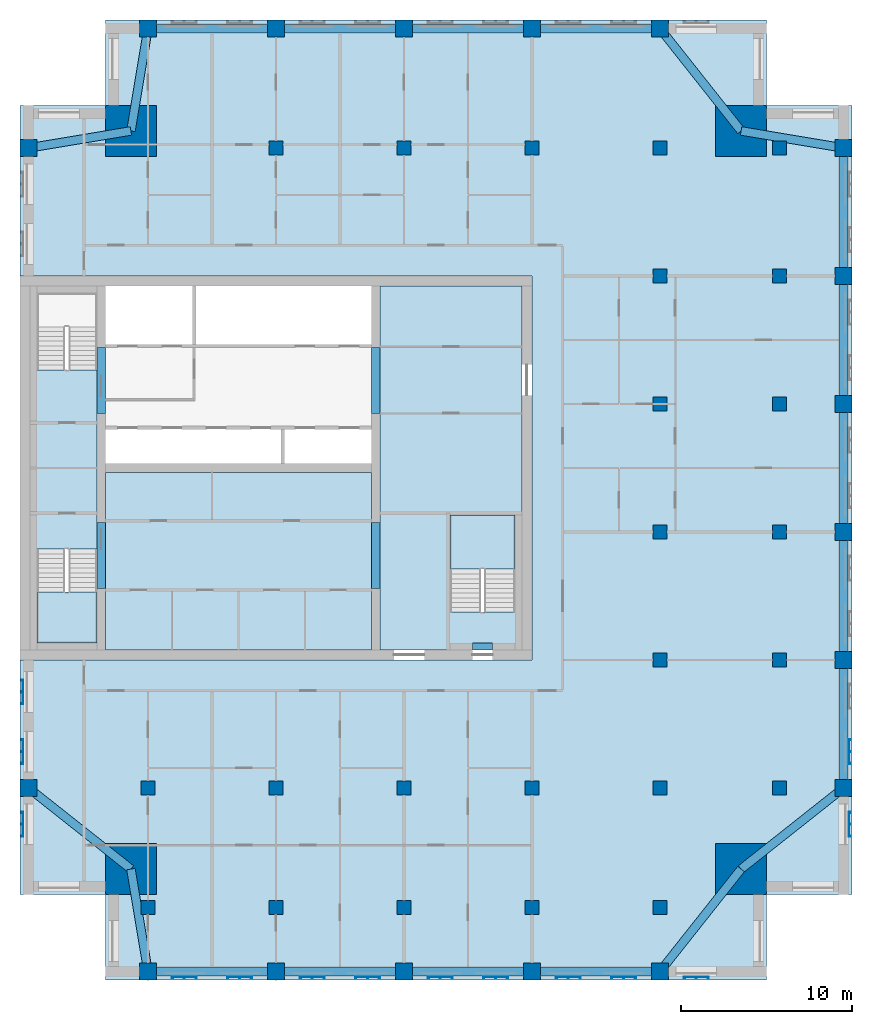
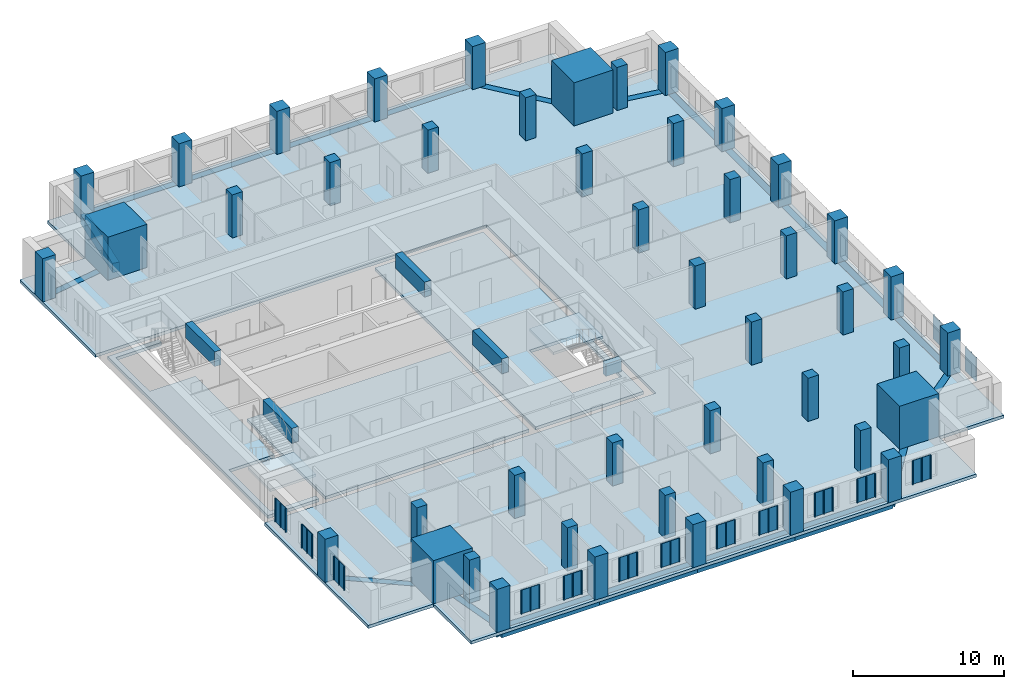
# One storey, part 1 of 11: 46 columns, 26 beams, 14 plates, 6 slabs, 2 elements without a shape of their own.
"""IFC4 building model written with IfcOpenShell, lengths in metres."""

from ifc_helpers import new_model, si_unit, direction, frame, origin, origin_2d, place, context, subcontext, project, spatial, polyline, rectangle, outline, extrude, material, layer, layer_set, material_profile, profile_set, type_object, element, aggregate, save


model = new_model("IFC4")

# Units and contexts
model_context = context("Model", 3, precision=1e-05, world=origin(), true_north=direction((0.0, 1.0)))
body_context = subcontext(model_context, "Body", "Model", "MODEL_VIEW")
ifc_project = project(units=[si_unit("LENGTHUNIT", "METRE"), si_unit("AREAUNIT", "SQUARE_METRE"), si_unit("VOLUMEUNIT", "CUBIC_METRE"), si_unit("PLANEANGLEUNIT", "RADIAN"), si_unit("MASSUNIT", "GRAM", prefix="KILO")], contexts=[model_context])

# Site, building, storey
site_placement = place(None, origin())
site = spatial("IfcSite", under=ifc_project, at=site_placement, CompositionType="ELEMENT")
building_placement = place(site_placement, origin())
building = spatial("IfcBuilding", under=site, at=building_placement, Name="Tamorin Gate", CompositionType="ELEMENT")
storey_placement = place(building_placement, frame((0.0, 0.0, 230.199951171875)))
storey = spatial("IfcBuildingStorey", under=building, at=storey_placement, Name="L57", CompositionType="ELEMENT", Elevation=230.199951171875)

# Columns
ifc_material_1 = material(Name="Concrete C50/60", Category="concrete")
ifc_material_profile_1 = material_profile(ifc_material_1, rectangle(XDim=1.0, YDim=1.0, at=origin_2d()), Name="RC 1000x1000")
ifc_profile_set_1 = profile_set([ifc_material_profile_1], Name="Concrete C50/60")
column_type_1 = type_object("IfcColumnType", Name="RC column 1000x1000 C50/60", PredefinedType="COLUMN", material=ifc_profile_set_1)
for number, where, z_axis, x_axis, name in (
    (1, (37.5, 41.75, 0.0), (0.0, 0.0, 1.0), (1.0, 0.0, 0.0), "Ring column L57"),
    (2, (45.0, 41.75, 0.0), (0.0, 0.0, 1.0), (1.0, 0.0, 0.0), "Ring column L57"),
    (3, (52.5, 41.75, 0.0), (0.0, 0.0, 1.0), (1.0, 0.0, 0.0), "Ring column L57"),
    (4, (60.0, 41.75, 0.0), (0.0, 0.0, 1.0), (1.0, 0.0, 0.0), "Ring column L57"),
    (5, (67.5, 41.75, 0.0), (0.0, 0.0, 1.0), (1.0, 0.0, 0.0), "Ring column L57"),
    (6, (78.25, 52.5, 0.0), (0.0, 0.0, 1.0), (1.0, 0.0, 0.0), "Ring column L57"),
    (7, (78.25, 60.0, 0.0), (0.0, 0.0, 1.0), (1.0, 0.0, 0.0), "Ring column L57"),
    (8, (78.25, 67.5, 0.0), (0.0, 0.0, 1.0), (1.0, 0.0, 0.0), "Ring column L57"),
    (9, (78.25, 75.0, 0.0), (0.0, 0.0, 1.0), (1.0, 0.0, 0.0), "Ring column L57"),
    (10, (78.25, 82.5, 0.0), (0.0, 0.0, 1.0), (1.0, 0.0, 0.0), "Ring column L57"),
    (11, (78.25, 90.0, 0.0), (0.0, 0.0, 1.0), (1.0, 0.0, 0.0), "Ring column L57"),
    (12, (30.5, 52.5, 0.0), (0.0, 0.0, 1.0), (1.0, 0.0, 0.0), "Ring column L57"),
    (13, (30.5, 90.0, 0.0), (0.0, 0.0, 1.0), (1.0, 0.0, 0.0), "Ring column L57"),
    (14, (37.5, 97.0, 0.0), (0.0, 0.0, 1.0), (1.0, 0.0, 0.0), "Ring column L57"),
    (15, (45.0, 97.0, 0.0), (0.0, 0.0, 1.0), (1.0, 0.0, 0.0), "Ring column L57"),
    (16, (52.5, 97.0, 0.0), (0.0, 0.0, 1.0), (1.0, 0.0, 0.0), "Ring column L57"),
    (17, (60.0, 97.0, 0.0), (0.0, 0.0, 1.0), (1.0, 0.0, 0.0), "Ring column L57"),
    (18, (67.5, 97.0, 0.0), (0.0, 0.0, 1.0), (1.0, 0.0, 0.0), "Ring column L57"),
):
    element("IfcColumn", number, at=place(storey_placement, frame(where, z_axis=z_axis, x_axis=x_axis)), inside=storey, type_object=column_type_1, Name=name, PredefinedType="COLUMN", context=body_context, shape_type="SweptSolid", body=[
        extrude(rectangle(XDim=1.0, YDim=1.0, at=origin_2d()), origin(), (0.0, 0.0, 1.0), 3.5),
    ])
ifc_material_profile_2 = material_profile(ifc_material_1, rectangle(XDim=3.0, YDim=3.0, at=origin_2d()), Name="RC 3000x3000")
ifc_profile_set_2 = profile_set([ifc_material_profile_2], Name="Concrete C50/60")
column_type_2 = type_object("IfcColumnType", Name="RC column 3000x3000 C50/60", PredefinedType="COLUMN", material=ifc_profile_set_2)
for number, where, z_axis, x_axis, name in (
    (19, (36.5, 47.75, 0.0), (0.0, 0.0, 1.0), (1.0, 0.0, 0.0), "Mega column SW L57"),
    (20, (72.25, 47.75, 0.0), (0.0, 0.0, 1.0), (1.0, 0.0, 0.0), "Mega column SE L57"),
    (21, (36.5, 91.0, 0.0), (0.0, 0.0, 1.0), (1.0, 0.0, 0.0), "Mega column NW L57"),
    (22, (72.25, 91.0, 0.0), (0.0, 0.0, 1.0), (1.0, 0.0, 0.0), "Mega column NE L57"),
):
    element("IfcColumn", number, at=place(storey_placement, frame(where, z_axis=z_axis, x_axis=x_axis)), inside=storey, type_object=column_type_2, Name=name, PredefinedType="COLUMN", context=body_context, shape_type="SweptSolid", body=[
        extrude(rectangle(XDim=3.0, YDim=3.0, at=origin_2d()), origin(), (0.0, 0.0, 1.0), 3.5),
    ])
ifc_material_profile_3 = material_profile(ifc_material_1, rectangle(XDim=0.800048828125, YDim=0.800048828125, at=origin_2d()), Name="RC 800x800")
ifc_profile_set_3 = profile_set([ifc_material_profile_3], Name="Concrete C50/60")
column_type_3 = type_object("IfcColumnType", Name="RC column 800x800 C50/60", PredefinedType="COLUMN", material=ifc_profile_set_3)
for number, where, z_axis, x_axis, name in (
    (23, (37.5, 45.5, 0.0), (0.0, 0.0, 1.0), (1.0, 0.0, 0.0), "Interior column L57"),
    (24, (37.5, 52.5, 0.0), (0.0, 0.0, 1.0), (1.0, 0.0, 0.0), "Interior column L57"),
    (25, (45.0, 45.5, 0.0), (0.0, 0.0, 1.0), (1.0, 0.0, 0.0), "Interior column L57"),
    (26, (45.0, 52.5, 0.0), (0.0, 0.0, 1.0), (1.0, 0.0, 0.0), "Interior column L57"),
    (27, (45.0, 90.0, 0.0), (0.0, 0.0, 1.0), (1.0, 0.0, 0.0), "Interior column L57"),
    (28, (52.5, 45.5, 0.0), (0.0, 0.0, 1.0), (1.0, 0.0, 0.0), "Interior column L57"),
    (29, (52.5, 52.5, 0.0), (0.0, 0.0, 1.0), (1.0, 0.0, 0.0), "Interior column L57"),
    (30, (52.5, 90.0, 0.0), (0.0, 0.0, 1.0), (1.0, 0.0, 0.0), "Interior column L57"),
    (31, (60.0, 45.5, 0.0), (0.0, 0.0, 1.0), (1.0, 0.0, 0.0), "Interior column L57"),
    (32, (60.0, 52.5, 0.0), (0.0, 0.0, 1.0), (1.0, 0.0, 0.0), "Interior column L57"),
    (33, (60.0, 90.0, 0.0), (0.0, 0.0, 1.0), (1.0, 0.0, 0.0), "Interior column L57"),
    (34, (67.5, 45.5, 0.0), (0.0, 0.0, 1.0), (1.0, 0.0, 0.0), "Interior column L57"),
    (35, (67.5, 52.5, 0.0), (0.0, 0.0, 1.0), (1.0, 0.0, 0.0), "Interior column L57"),
    (36, (67.5, 60.0, 0.0), (0.0, 0.0, 1.0), (1.0, 0.0, 0.0), "Interior column L57"),
    (37, (67.5, 67.5, 0.0), (0.0, 0.0, 1.0), (1.0, 0.0, 0.0), "Interior column L57"),
    (38, (67.5, 75.0, 0.0), (0.0, 0.0, 1.0), (1.0, 0.0, 0.0), "Interior column L57"),
    (39, (67.5, 82.5, 0.0), (0.0, 0.0, 1.0), (1.0, 0.0, 0.0), "Interior column L57"),
    (40, (67.5, 90.0, 0.0), (0.0, 0.0, 1.0), (1.0, 0.0, 0.0), "Interior column L57"),
    (41, (74.5, 52.5, 0.0), (0.0, 0.0, 1.0), (1.0, 0.0, 0.0), "Interior column L57"),
    (42, (74.5, 60.0, 0.0), (0.0, 0.0, 1.0), (1.0, 0.0, 0.0), "Interior column L57"),
    (43, (74.5, 67.5, 0.0), (0.0, 0.0, 1.0), (1.0, 0.0, 0.0), "Interior column L57"),
    (44, (74.5, 75.0, 0.0), (0.0, 0.0, 1.0), (1.0, 0.0, 0.0), "Interior column L57"),
    (45, (74.5, 82.5, 0.0), (0.0, 0.0, 1.0), (1.0, 0.0, 0.0), "Interior column L57"),
    (46, (74.5, 90.0, 0.0), (0.0, 0.0, 1.0), (1.0, 0.0, 0.0), "Interior column L57"),
):
    element("IfcColumn", number, at=place(storey_placement, frame(where, z_axis=z_axis, x_axis=x_axis)), inside=storey, type_object=column_type_3, Name=name, PredefinedType="COLUMN", context=body_context, shape_type="SweptSolid", body=[
        extrude(rectangle(XDim=0.800048828125, YDim=0.800048828125, at=origin_2d()), origin(), (0.0, 0.0, 1.0), 3.5),
    ])

# Beams
ifc_material_profile_4 = material_profile(ifc_material_1, rectangle(XDim=0.5, YDim=1.199951171875, at=origin_2d()), Name="RC 500x1200")
ifc_profile_set_4 = profile_set([ifc_material_profile_4], Name="Concrete C50/60")
beam_type_1 = type_object("IfcBeamType", Name="RC coupling beam 500x1200 C50/60", PredefinedType="BEAM", material=ifc_profile_set_4)
for number, where, z_axis, x_axis, name in (
    (47, (34.75, 64.199951171875, 2.900146484375), (0.0, 1.0, 0.0), (-1.0, 0.0, 0.0), "Coupling beam L57"),
    (48, (34.75, 74.449951171875, 2.900146484375), (0.0, 1.0, 0.0), (-1.0, 0.0, 0.0), "Coupling beam L57"),
    (49, (50.85009765625, 64.199951171875, 2.900146484375), (0.0, 1.0, 0.0), (-1.0, 0.0, 0.0), "Coupling beam L57"),
    (50, (50.85009765625, 74.449951171875, 2.900146484375), (0.0, 1.0, 0.0), (-1.0, 0.0, 0.0), "Coupling beam L57"),
):
    element("IfcBeam", number, at=place(storey_placement, frame(where, z_axis=z_axis, x_axis=x_axis)), inside=storey, type_object=beam_type_1, Name=name, PredefinedType="BEAM", context=body_context, shape_type="SweptSolid", body=[
        extrude(rectangle(XDim=0.5, YDim=1.199951171875, at=origin_2d()), origin(), (0.0, 0.0, 1.0), 3.85009765625),
    ])
ifc_material_profile_5 = material_profile(ifc_material_1, rectangle(XDim=0.5, YDim=0.75, at=origin_2d()), Name="RC 500x750")
ifc_profile_set_5 = profile_set([ifc_material_profile_5], Name="Concrete C50/60")
beam_type_2 = type_object("IfcBeamType", Name="RC spandrel 500x750 C50/60", PredefinedType="BEAM", material=ifc_profile_set_5)
for number, where, z_axis, x_axis, name in (
    (51, (37.5, 41.75, -0.375), (1.0, 0.0, 0.0), (0.0, 1.0, 0.0), "Spandrel beam L57"),
    (52, (45.0, 41.75, -0.375), (1.0, 0.0, 0.0), (0.0, 1.0, 0.0), "Spandrel beam L57"),
    (53, (52.5, 41.75, -0.375), (1.0, 0.0, 0.0), (0.0, 1.0, 0.0), "Spandrel beam L57"),
    (54, (60.0, 41.75, -0.375), (1.0, 0.0, 0.0), (0.0, 1.0, 0.0), "Spandrel beam L57"),
    (55, (78.25, 52.5, -0.375), (0.0, 1.0, 0.0), (-1.0, 0.0, 0.0), "Spandrel beam L57"),
    (56, (78.25, 60.0, -0.375), (0.0, 1.0, 0.0), (-1.0, 0.0, 0.0), "Spandrel beam L57"),
    (57, (78.25, 67.5, -0.375), (0.0, 1.0, 0.0), (-1.0, 0.0, 0.0), "Spandrel beam L57"),
    (58, (78.25, 75.0, -0.375), (0.0, 1.0, 0.0), (-1.0, 0.0, 0.0), "Spandrel beam L57"),
    (59, (78.25, 82.5, -0.375), (0.0, 1.0, 0.0), (-1.0, 0.0, 0.0), "Spandrel beam L57"),
    (60, (67.5, 97.0, -0.375), (-1.0, 0.0, 0.0), (0.0, -1.0, 0.0), "Spandrel beam L57"),
    (61, (60.0, 97.0, -0.375), (-1.0, 0.0, 0.0), (0.0, -1.0, 0.0), "Spandrel beam L57"),
    (62, (52.5, 97.0, -0.375), (-1.0, 0.0, 0.0), (0.0, -1.0, 0.0), "Spandrel beam L57"),
    (63, (45.0, 97.0, -0.375), (-1.0, 0.0, 0.0), (0.0, -1.0, 0.0), "Spandrel beam L57"),
):
    element("IfcBeam", number, at=place(storey_placement, frame(where, z_axis=z_axis, x_axis=x_axis)), inside=storey, type_object=beam_type_2, Name=name, PredefinedType="BEAM", context=body_context, shape_type="SweptSolid", body=[
        extrude(rectangle(XDim=0.5, YDim=0.75, at=origin_2d()), origin(), (0.0, 0.0, 1.0), 7.5),
    ])
beam_1_placement = place(storey_placement, frame((36.5, 47.75, -0.375), z_axis=(0.164398987305, -0.986393923832, 0.0), x_axis=(0.986393923832, 0.164398987305, 0.0)))
element("IfcBeam", 64, at=beam_1_placement, inside=storey, type_object=beam_type_2, Name="Corner tie beam L57", PredefinedType="BEAM", context=body_context, shape_type="SweptSolid", body=[
    extrude(rectangle(XDim=0.5, YDim=0.75, at=origin_2d()), origin(), (0.0, 0.0, 1.0), 6.082763671875),
])
for number, where, z_axis, x_axis, name in (
    (65, (36.5, 47.75, -0.375), (-0.784045824462, 0.620702944366, 0.0), (-0.620702944366, -0.784045824462, 0.0), "Corner tie beam L57"),
    (66, (72.25, 47.75, -0.375), (-0.620702944366, -0.784045824462, 0.0), (0.784045824462, -0.620702944366, 0.0), "Corner tie beam L57"),
    (67, (72.25, 47.75, -0.375), (0.784045824462, 0.620702944366, 0.0), (-0.620702944366, 0.784045824462, 0.0), "Corner tie beam L57"),
):
    element("IfcBeam", number, at=place(storey_placement, frame(where, z_axis=z_axis, x_axis=x_axis)), inside=storey, type_object=beam_type_2, Name=name, PredefinedType="BEAM", context=body_context, shape_type="SweptSolid", body=[
        extrude(rectangle(XDim=0.5, YDim=0.75, at=origin_2d()), origin(), (0.0, 0.0, 1.0), 7.652587890625),
    ])
for number, where, z_axis, x_axis, name in (
    (68, (36.5, 91.0, -0.375), (-0.986393923832, -0.164398987305, 0.0), (0.164398987305, -0.986393923832, 0.0), "Corner tie beam L57"),
    (69, (36.5, 91.0, -0.375), (0.164398987305, 0.986393923832, 0.0), (-0.986393923832, 0.164398987305, 0.0), "Corner tie beam L57"),
    (70, (72.25, 91.0, -0.375), (0.986393923832, -0.164398987305, 0.0), (0.164398987305, 0.986393923832, 0.0), "Corner tie beam L57"),
):
    element("IfcBeam", number, at=place(storey_placement, frame(where, z_axis=z_axis, x_axis=x_axis)), inside=storey, type_object=beam_type_2, Name=name, PredefinedType="BEAM", context=body_context, shape_type="SweptSolid", body=[
        extrude(rectangle(XDim=0.5, YDim=0.75, at=origin_2d()), origin(), (0.0, 0.0, 1.0), 6.082763671875),
    ])
beam_2_placement = place(storey_placement, frame((72.25, 91.0, -0.375), z_axis=(-0.620702944366, 0.784045824462, 0.0), x_axis=(-0.784045824462, -0.620702944366, 0.0)))
element("IfcBeam", 71, at=beam_2_placement, inside=storey, type_object=beam_type_2, Name="Corner tie beam L57", PredefinedType="BEAM", context=body_context, shape_type="SweptSolid", body=[
    extrude(rectangle(XDim=0.5, YDim=0.75, at=origin_2d()), origin(), (0.0, 0.0, 1.0), 7.652587890625),
])
ifc_material_profile_6 = material_profile(ifc_material_1, rectangle(XDim=0.39990234375, YDim=1.0, at=origin_2d()))
ifc_profile_set_6 = profile_set([ifc_material_profile_6], Name="Concrete C50/60")
beam_type_3 = type_object("IfcBeamType", Name="Stair lintel 400x1000 C50/60", PredefinedType="BEAM", material=ifc_profile_set_6)
beam_3_placement = place(storey_placement, frame((56.5, 60.800048828125, 2.699951171875), z_axis=(1.0, 0.0, 0.0), x_axis=(0.0, 1.0, 0.0)))
element("IfcBeam", 72, at=beam_3_placement, inside=storey, type_object=beam_type_3, Name="Stair lintel", PredefinedType="BEAM", context=body_context, shape_type="SweptSolid", body=[
    extrude(rectangle(XDim=0.39990234375, YDim=1.0, at=origin_2d()), origin(), (0.0, 0.0, 1.0), 1.199951171875),
])

# Slabs
ifc_material_2 = material(Name="Concrete C40/50", Category="concrete")
ifc_layer_1 = layer(ifc_material_2, 0.25)
ifc_layer_set_1 = layer_set([ifc_layer_1], Name="Core floor slab 250 C40/50")
slab_type_1 = type_object("IfcSlabType", Name="Core floor slab 250 C40/50", PredefinedType="FLOOR", material=ifc_layer_set_1)
slab_1_placement = place(storey_placement, frame((0.0, 0.0, -0.25)))
element("IfcSlab", 73, at=slab_1_placement, inside=storey, type_object=slab_type_1, Name="Core floor L57", PredefinedType="FLOOR", context=body_context, shape_type="SweptSolid", body=[
    extrude(outline(polyline([(51.10009765625, 81.89990234375), (59.39990234375, 81.89990234375), (59.39990234375, 60.60009765625), (51.10009765625, 60.60009765625), (51.10009765625, 81.89990234375)]), holes=[polyline([(55.199951171875, 62.800048828125), (59.0, 62.800048828125), (59.0, 68.5), (55.199951171875, 68.5), (55.199951171875, 62.800048828125)])]), origin(), (0.0, 0.0, 1.0), 0.25),
])
slab_2_placement = place(storey_placement, frame((0.0, 0.0, -0.25)))
element("IfcSlab", 74, at=slab_2_placement, inside=storey, type_object=slab_type_1, Name="Core floor L57", PredefinedType="FLOOR", context=body_context, shape_type="SweptSolid", body=[
    extrude(outline(polyline([(50.60009765625, 71.0), (50.60009765625, 60.60009765625), (35.0, 60.60009765625), (35.0, 71.0), (50.60009765625, 71.0)])), origin(), (0.0, 0.0, 1.0), 0.25),
])
slab_3_placement = place(storey_placement, frame((0.0, 0.0, -0.25)))
element("IfcSlab", 75, at=slab_3_placement, inside=storey, type_object=slab_type_1, Name="Core floor L57", PredefinedType="FLOOR", context=body_context, shape_type="SweptSolid", body=[
    extrude(outline(polyline([(34.5, 60.60009765625), (30.60009765625, 60.60009765625), (30.60009765625, 81.89990234375), (34.5, 81.89990234375), (34.5, 81.5), (31.0, 81.5), (31.0, 77.0), (34.5, 77.0), (34.5, 66.5), (31.0, 66.5), (31.0, 61.0), (34.5, 61.0), (34.5, 60.60009765625)])), origin(), (0.0, 0.0, 1.0), 0.25),
])

# Stair, slab
stair_type = type_object("IfcStairType", Name="Exit stair", PredefinedType="HALF_TURN_STAIR", material=ifc_material_2)
stair_1_placement = place(storey_placement, origin())
stair_1 = element("IfcStair", 76, at=stair_1_placement, inside=storey, type_object=stair_type, Name="L57 stair ST1", PredefinedType="HALF_TURN_STAIR")
ifc_layer_2 = layer(ifc_material_2, 0.199951171875)
ifc_layer_set_2 = layer_set([ifc_layer_2], Name="Exit stair landing 200")
slab_type_2 = type_object("IfcSlabType", Name="Exit stair landing 200", PredefinedType="LANDING", material=ifc_layer_set_2)
slab_4_placement = place(storey_placement, frame((0.0, 0.0, 1.550048828125)))
slab_4 = element("IfcSlab", 77, at=slab_4_placement, type_object=slab_type_2, Name="ST1 landing 1", PredefinedType="LANDING", context=body_context, shape_type="SweptSolid", body=[
    extrude(outline(polyline([(31.0, 63.97998046875), (31.0, 61.0), (34.5, 61.0), (34.5, 63.97998046875), (31.0, 63.97998046875)])), origin(), (0.0, 0.0, 1.0), 0.199951171875),
])
aggregate(stair_1, [slab_4])

stair_2_placement = place(storey_placement, origin())
stair_2 = element("IfcStair", 78, at=stair_2_placement, inside=storey, type_object=stair_type, Name="L57 stair ST3", PredefinedType="HALF_TURN_STAIR")
slab_5_placement = place(storey_placement, frame((0.0, 0.0, 1.550048828125)))
slab_5 = element("IfcSlab", 79, at=slab_5_placement, type_object=slab_type_2, Name="ST3 landing 1", PredefinedType="LANDING", context=body_context, shape_type="SweptSolid", body=[
    extrude(outline(polyline([(59.0, 65.320068359375), (59.0, 68.5), (55.199951171875, 68.5), (55.199951171875, 65.320068359375), (59.0, 65.320068359375)])), origin(), (0.0, 0.0, 1.0), 0.199951171875),
])
aggregate(stair_2, [slab_5])

# Slab
ifc_layer_3 = layer(ifc_material_2, 0.25)
ifc_layer_set_3 = layer_set([ifc_layer_3], Name="Floor slab 250 C40/50")
slab_type_3 = type_object("IfcSlabType", Name="Floor slab 250 C40/50", PredefinedType="FLOOR", material=ifc_layer_set_3)
slab_6_placement = place(storey_placement, frame((0.0, 0.0, -0.25)))
element("IfcSlab", 80, at=slab_6_placement, inside=storey, type_object=slab_type_3, Name="Floor L57", PredefinedType="FLOOR", context=body_context, shape_type="SweptSolid", body=[
    extrude(outline(polyline([(30.0, 92.5), (35.0, 92.5), (35.0, 97.5), (73.75, 97.5), (73.75, 92.5), (78.75, 92.5), (78.75, 46.25), (73.75, 46.25), (73.75, 41.25), (35.0, 41.25), (35.0, 46.25), (30.0, 46.25), (30.0, 60.0), (60.0, 60.0), (60.0, 82.5), (30.0, 82.5), (30.0, 92.5)])), origin(), (0.0, 0.0, 1.0), 0.25),
])

# Plates
ifc_material_3 = material(Name="Perforated pale aluminium sheet", Category="aluminium")
ifc_layer_4 = layer(ifc_material_3, 0.0400390625)
ifc_layer_set_4 = layer_set([ifc_layer_4], Name="Pale metal solar screen 1440")
plate_type = type_object("IfcPlateType", Name="Pale metal solar screen 1440", PredefinedType="SHEET", material=ifc_layer_set_4)
plate_1_placement = place(storey_placement, frame((0.0, 0.0, 0.737548828125)))
element("IfcPlate", 81, at=plate_1_placement, inside=storey, type_object=plate_type, Name="Perforated solar screen", PredefinedType="SHEET", context=body_context, shape_type="SweptSolid", body=[
    extrude(outline(polyline([(38.905029296875, 41.409912109375), (38.905029296875, 41.449951171875), (38.965087890625, 41.449951171875), (39.594970703125, 41.449951171875), (39.655029296875, 41.449951171875), (40.284912109375, 41.449951171875), (40.344970703125, 41.449951171875), (40.344970703125, 41.449951171875), (40.344970703125, 41.409912109375), (40.344970703125, 41.409912109375), (40.344970703125, 41.35009765625), (40.284912109375, 41.35009765625), (40.284912109375, 41.409912109375), (39.655029296875, 41.409912109375), (39.655029296875, 41.35009765625), (39.594970703125, 41.35009765625), (39.594970703125, 41.409912109375), (38.965087890625, 41.409912109375), (38.965087890625, 41.35009765625), (38.905029296875, 41.35009765625), (38.905029296875, 41.409912109375)])), origin(), (0.0, 0.0, 1.0), 1.925048828125),
])
plate_2_placement = place(storey_placement, frame((0.0, 0.0, 0.737548828125)))
element("IfcPlate", 82, at=plate_2_placement, inside=storey, type_object=plate_type, Name="Perforated solar screen", PredefinedType="SHEET", context=body_context, shape_type="SweptSolid", body=[
    extrude(outline(polyline([(42.155029296875, 41.409912109375), (42.155029296875, 41.449951171875), (42.215087890625, 41.449951171875), (42.844970703125, 41.449951171875), (42.905029296875, 41.449951171875), (43.534912109375, 41.449951171875), (43.594970703125, 41.449951171875), (43.594970703125, 41.409912109375), (43.594970703125, 41.35009765625), (43.534912109375, 41.35009765625), (43.534912109375, 41.409912109375), (42.905029296875, 41.409912109375), (42.905029296875, 41.35009765625), (42.844970703125, 41.35009765625), (42.844970703125, 41.409912109375), (42.215087890625, 41.409912109375), (42.215087890625, 41.35009765625), (42.155029296875, 41.35009765625), (42.155029296875, 41.409912109375)])), origin(), (0.0, 0.0, 1.0), 1.925048828125),
])
plate_3_placement = place(storey_placement, frame((0.0, 0.0, 0.737548828125)))
element("IfcPlate", 83, at=plate_3_placement, inside=storey, type_object=plate_type, Name="Perforated solar screen", PredefinedType="SHEET", context=body_context, shape_type="SweptSolid", body=[
    extrude(outline(polyline([(46.405029296875, 41.409912109375), (46.405029296875, 41.449951171875), (46.465087890625, 41.449951171875), (47.094970703125, 41.449951171875), (47.155029296875, 41.449951171875), (47.784912109375, 41.449951171875), (47.844970703125, 41.449951171875), (47.844970703125, 41.409912109375), (47.844970703125, 41.35009765625), (47.784912109375, 41.35009765625), (47.784912109375, 41.409912109375), (47.155029296875, 41.409912109375), (47.155029296875, 41.35009765625), (47.094970703125, 41.35009765625), (47.094970703125, 41.409912109375), (46.465087890625, 41.409912109375), (46.465087890625, 41.35009765625), (46.405029296875, 41.35009765625), (46.405029296875, 41.409912109375)])), origin(), (0.0, 0.0, 1.0), 1.925048828125),
])
plate_4_placement = place(storey_placement, frame((0.0, 0.0, 0.737548828125)))
element("IfcPlate", 84, at=plate_4_placement, inside=storey, type_object=plate_type, Name="Perforated solar screen", PredefinedType="SHEET", context=body_context, shape_type="SweptSolid", body=[
    extrude(outline(polyline([(49.655029296875, 41.409912109375), (49.655029296875, 41.449951171875), (49.715087890625, 41.449951171875), (50.344970703125, 41.449951171875), (50.405029296875, 41.449951171875), (51.034912109375, 41.449951171875), (51.094970703125, 41.449951171875), (51.094970703125, 41.409912109375), (51.094970703125, 41.35009765625), (51.034912109375, 41.35009765625), (51.034912109375, 41.409912109375), (50.405029296875, 41.409912109375), (50.405029296875, 41.35009765625), (50.344970703125, 41.35009765625), (50.344970703125, 41.409912109375), (49.715087890625, 41.409912109375), (49.715087890625, 41.35009765625), (49.655029296875, 41.35009765625), (49.655029296875, 41.409912109375)])), origin(), (0.0, 0.0, 1.0), 1.925048828125),
])
plate_5_placement = place(storey_placement, frame((0.0, 0.0, 0.737548828125)))
element("IfcPlate", 85, at=plate_5_placement, inside=storey, type_object=plate_type, Name="Perforated solar screen", PredefinedType="SHEET", context=body_context, shape_type="SweptSolid", body=[
    extrude(outline(polyline([(53.905029296875, 41.409912109375), (53.905029296875, 41.449951171875), (53.965087890625, 41.449951171875), (54.594970703125, 41.449951171875), (54.655029296875, 41.449951171875), (55.284912109375, 41.449951171875), (55.344970703125, 41.449951171875), (55.344970703125, 41.409912109375), (55.344970703125, 41.35009765625), (55.284912109375, 41.35009765625), (55.284912109375, 41.409912109375), (54.655029296875, 41.409912109375), (54.655029296875, 41.35009765625), (54.594970703125, 41.35009765625), (54.594970703125, 41.409912109375), (53.965087890625, 41.409912109375), (53.965087890625, 41.35009765625), (53.905029296875, 41.35009765625), (53.905029296875, 41.409912109375)])), origin(), (0.0, 0.0, 1.0), 1.925048828125),
])
plate_6_placement = place(storey_placement, frame((0.0, 0.0, 0.737548828125)))
element("IfcPlate", 86, at=plate_6_placement, inside=storey, type_object=plate_type, Name="Perforated solar screen", PredefinedType="SHEET", context=body_context, shape_type="SweptSolid", body=[
    extrude(outline(polyline([(57.155029296875, 41.409912109375), (57.155029296875, 41.449951171875), (57.215087890625, 41.449951171875), (57.844970703125, 41.449951171875), (57.905029296875, 41.449951171875), (58.534912109375, 41.449951171875), (58.594970703125, 41.449951171875), (58.594970703125, 41.409912109375), (58.594970703125, 41.35009765625), (58.534912109375, 41.35009765625), (58.534912109375, 41.409912109375), (57.905029296875, 41.409912109375), (57.905029296875, 41.35009765625), (57.844970703125, 41.35009765625), (57.844970703125, 41.409912109375), (57.215087890625, 41.409912109375), (57.215087890625, 41.35009765625), (57.155029296875, 41.35009765625), (57.155029296875, 41.409912109375)])), origin(), (0.0, 0.0, 1.0), 1.925048828125),
])
plate_7_placement = place(storey_placement, frame((0.0, 0.0, 0.737548828125)))
element("IfcPlate", 87, at=plate_7_placement, inside=storey, type_object=plate_type, Name="Perforated solar screen", PredefinedType="SHEET", context=body_context, shape_type="SweptSolid", body=[
    extrude(outline(polyline([(61.405029296875, 41.409912109375), (61.405029296875, 41.449951171875), (61.465087890625, 41.449951171875), (62.094970703125, 41.449951171875), (62.155029296875, 41.449951171875), (62.784912109375, 41.449951171875), (62.844970703125, 41.449951171875), (62.844970703125, 41.409912109375), (62.844970703125, 41.35009765625), (62.784912109375, 41.35009765625), (62.784912109375, 41.409912109375), (62.155029296875, 41.409912109375), (62.155029296875, 41.35009765625), (62.094970703125, 41.35009765625), (62.094970703125, 41.409912109375), (61.465087890625, 41.409912109375), (61.465087890625, 41.35009765625), (61.405029296875, 41.35009765625), (61.405029296875, 41.409912109375)])), origin(), (0.0, 0.0, 1.0), 1.925048828125),
])
plate_8_placement = place(storey_placement, frame((0.0, 0.0, 0.737548828125)))
element("IfcPlate", 88, at=plate_8_placement, inside=storey, type_object=plate_type, Name="Perforated solar screen", PredefinedType="SHEET", context=body_context, shape_type="SweptSolid", body=[
    extrude(outline(polyline([(64.655029296875, 41.409912109375), (64.655029296875, 41.449951171875), (64.715087890625, 41.449951171875), (65.344970703125, 41.449951171875), (65.405029296875, 41.449951171875), (66.034912109375, 41.449951171875), (66.094970703125, 41.449951171875), (66.094970703125, 41.409912109375), (66.094970703125, 41.35009765625), (66.034912109375, 41.35009765625), (66.034912109375, 41.409912109375), (65.405029296875, 41.409912109375), (65.405029296875, 41.35009765625), (65.344970703125, 41.35009765625), (65.344970703125, 41.409912109375), (64.715087890625, 41.409912109375), (64.715087890625, 41.35009765625), (64.655029296875, 41.35009765625), (64.655029296875, 41.409912109375)])), origin(), (0.0, 0.0, 1.0), 1.925048828125),
])
plate_9_placement = place(storey_placement, frame((0.0, 0.0, 0.737548828125)))
element("IfcPlate", 89, at=plate_9_placement, inside=storey, type_object=plate_type, Name="Perforated solar screen", PredefinedType="SHEET", context=body_context, shape_type="SweptSolid", body=[
    extrude(outline(polyline([(68.905029296875, 41.409912109375), (68.905029296875, 41.449951171875), (68.965087890625, 41.449951171875), (69.594970703125, 41.449951171875), (69.655029296875, 41.449951171875), (70.284912109375, 41.449951171875), (70.344970703125, 41.449951171875), (70.344970703125, 41.409912109375), (70.344970703125, 41.35009765625), (70.284912109375, 41.35009765625), (70.284912109375, 41.409912109375), (69.655029296875, 41.409912109375), (69.655029296875, 41.35009765625), (69.594970703125, 41.35009765625), (69.594970703125, 41.409912109375), (68.965087890625, 41.409912109375), (68.965087890625, 41.35009765625), (68.905029296875, 41.35009765625), (68.905029296875, 41.409912109375)])), origin(), (0.0, 0.0, 1.0), 1.925048828125),
])
plate_10_placement = place(storey_placement, frame((0.0, 0.0, 0.737548828125)))
element("IfcPlate", 90, at=plate_10_placement, inside=storey, type_object=plate_type, Name="Perforated solar screen", PredefinedType="SHEET", context=body_context, shape_type="SweptSolid", body=[
    extrude(outline(polyline([(78.590087890625, 49.655029296875), (78.550048828125, 49.655029296875), (78.550048828125, 49.715087890625), (78.550048828125, 50.344970703125), (78.550048828125, 50.405029296875), (78.550048828125, 51.034912109375), (78.550048828125, 51.094970703125), (78.550048828125, 51.094970703125), (78.590087890625, 51.094970703125), (78.590087890625, 51.094970703125), (78.64990234375, 51.094970703125), (78.64990234375, 51.034912109375), (78.590087890625, 51.034912109375), (78.590087890625, 50.405029296875), (78.64990234375, 50.405029296875), (78.64990234375, 50.344970703125), (78.590087890625, 50.344970703125), (78.590087890625, 49.715087890625), (78.64990234375, 49.715087890625), (78.64990234375, 49.655029296875), (78.590087890625, 49.655029296875)])), origin(), (0.0, 0.0, 1.0), 1.925048828125),
])
plate_11_placement = place(storey_placement, frame((0.0, 0.0, 0.737548828125)))
element("IfcPlate", 91, at=plate_11_placement, inside=storey, type_object=plate_type, Name="Perforated solar screen", PredefinedType="SHEET", context=body_context, shape_type="SweptSolid", body=[
    extrude(outline(polyline([(78.590087890625, 53.905029296875), (78.550048828125, 53.905029296875), (78.550048828125, 53.965087890625), (78.550048828125, 54.594970703125), (78.550048828125, 54.655029296875), (78.550048828125, 55.284912109375), (78.550048828125, 55.344970703125), (78.590087890625, 55.344970703125), (78.64990234375, 55.344970703125), (78.64990234375, 55.284912109375), (78.590087890625, 55.284912109375), (78.590087890625, 54.655029296875), (78.64990234375, 54.655029296875), (78.64990234375, 54.594970703125), (78.590087890625, 54.594970703125), (78.590087890625, 53.965087890625), (78.64990234375, 53.965087890625), (78.64990234375, 53.905029296875), (78.590087890625, 53.905029296875)])), origin(), (0.0, 0.0, 1.0), 1.925048828125),
])
plate_12_placement = place(storey_placement, frame((0.0, 0.0, 0.737548828125)))
element("IfcPlate", 92, at=plate_12_placement, inside=storey, type_object=plate_type, Name="Perforated solar screen", PredefinedType="SHEET", context=body_context, shape_type="SweptSolid", body=[
    extrude(outline(polyline([(30.159912109375, 55.344970703125), (30.199951171875, 55.344970703125), (30.199951171875, 55.284912109375), (30.199951171875, 54.655029296875), (30.199951171875, 54.594970703125), (30.199951171875, 53.965087890625), (30.199951171875, 53.905029296875), (30.159912109375, 53.905029296875), (30.10009765625, 53.905029296875), (30.10009765625, 53.965087890625), (30.159912109375, 53.965087890625), (30.159912109375, 54.594970703125), (30.10009765625, 54.594970703125), (30.10009765625, 54.655029296875), (30.159912109375, 54.655029296875), (30.159912109375, 55.284912109375), (30.10009765625, 55.284912109375), (30.10009765625, 55.344970703125), (30.159912109375, 55.344970703125)])), origin(), (0.0, 0.0, 1.0), 1.925048828125),
])
plate_13_placement = place(storey_placement, frame((0.0, 0.0, 0.737548828125)))
element("IfcPlate", 93, at=plate_13_placement, inside=storey, type_object=plate_type, Name="Perforated solar screen", PredefinedType="SHEET", context=body_context, shape_type="SweptSolid", body=[
    extrude(outline(polyline([(30.159912109375, 58.844970703125), (30.199951171875, 58.844970703125), (30.199951171875, 58.784912109375), (30.199951171875, 58.155029296875), (30.199951171875, 58.094970703125), (30.199951171875, 57.465087890625), (30.199951171875, 57.405029296875), (30.159912109375, 57.405029296875), (30.10009765625, 57.405029296875), (30.10009765625, 57.465087890625), (30.159912109375, 57.465087890625), (30.159912109375, 58.094970703125), (30.10009765625, 58.094970703125), (30.10009765625, 58.155029296875), (30.159912109375, 58.155029296875), (30.159912109375, 58.784912109375), (30.10009765625, 58.784912109375), (30.10009765625, 58.844970703125), (30.159912109375, 58.844970703125)])), origin(), (0.0, 0.0, 1.0), 1.925048828125),
])
plate_14_placement = place(storey_placement, frame((0.0, 0.0, 0.737548828125)))
element("IfcPlate", 94, at=plate_14_placement, inside=storey, type_object=plate_type, Name="Perforated solar screen", PredefinedType="SHEET", context=body_context, shape_type="SweptSolid", body=[
    extrude(outline(polyline([(30.159912109375, 51.094970703125), (30.199951171875, 51.094970703125), (30.199951171875, 51.034912109375), (30.199951171875, 50.405029296875), (30.199951171875, 50.344970703125), (30.199951171875, 49.715087890625), (30.199951171875, 49.655029296875), (30.159912109375, 49.655029296875), (30.10009765625, 49.655029296875), (30.10009765625, 49.715087890625), (30.159912109375, 49.715087890625), (30.159912109375, 50.344970703125), (30.10009765625, 50.344970703125), (30.10009765625, 50.405029296875), (30.159912109375, 50.405029296875), (30.159912109375, 51.034912109375), (30.10009765625, 51.034912109375), (30.10009765625, 51.094970703125), (30.159912109375, 51.094970703125)])), origin(), (0.0, 0.0, 1.0), 1.925048828125),
])

save(model, "model.ifc")
